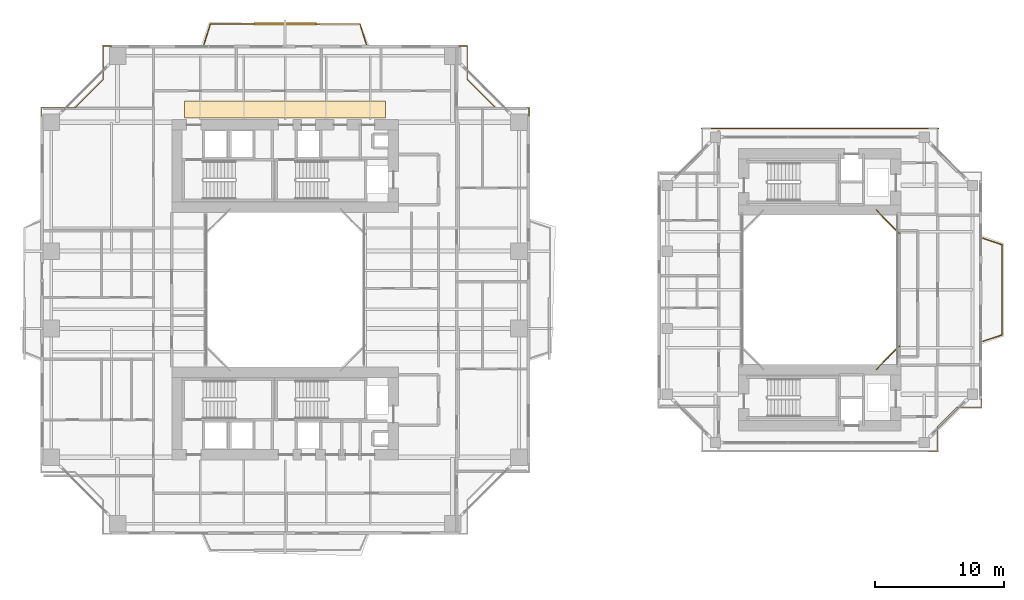
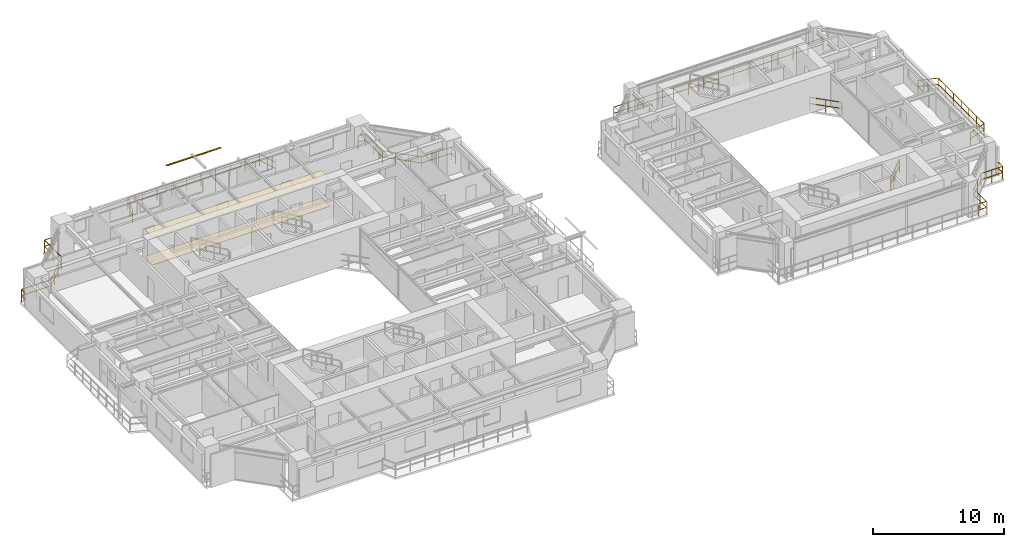
# One storey, part 22 of 23: 8 railings, 2 coverings, 1 shading device.
"""IFC4 building model written with IfcOpenShell, lengths in metres."""

from ifc_helpers import new_model, si_unit, direction, frame, origin, origin_2d, place, context, subcontext, project, spatial, polyline, rectangle, outline, extrude, source, transform, mapped, material, layer, layer_set, material_profile, profile_set, type_object, element, save


model = new_model("IFC4")

# Units and contexts
model_context = context("Model", 3, precision=1e-05, world=origin(), true_north=direction((0.0, 1.0)))
body_context = subcontext(model_context, "Body", "Model", "MODEL_VIEW")
ifc_project = project(units=[si_unit("LENGTHUNIT", "METRE"), si_unit("AREAUNIT", "SQUARE_METRE"), si_unit("VOLUMEUNIT", "CUBIC_METRE"), si_unit("PLANEANGLEUNIT", "RADIAN"), si_unit("MASSUNIT", "GRAM", prefix="KILO"), si_unit("THERMODYNAMICTEMPERATUREUNIT", "KELVIN"), si_unit("POWERUNIT", "WATT")], contexts=[model_context])

# Site, building, storey
site_placement = place(None, origin())
site = spatial("IfcSite", under=ifc_project, at=site_placement, CompositionType="ELEMENT")
building_placement = place(site_placement, origin())
building = spatial("IfcBuilding", under=site, at=building_placement, Name="Qiaomeng Ring Towers", CompositionType="ELEMENT")
storey_placement = place(building_placement, frame((0.0, 0.0, 76.25)))
storey = spatial("IfcBuildingStorey", under=building, at=storey_placement, Name="L21", CompositionType="ELEMENT", Elevation=76.25)

# Coverings
ifc_material_1 = material(Name="Moisture-resistant gypsum ceiling board", Category="gypsum")
ifc_layer_1 = layer(ifc_material_1, 0.030029296875, Name="Moisture-resistant gypsum ceiling board")
ifc_layer_set_1 = layer_set([ifc_layer_1], Name="Moisture-resistant gypsum ceiling board")
covering_type_1 = type_object("IfcCoveringType", Name="ARC-COV-CEIL2", PredefinedType="CEILING", material=ifc_layer_set_1)
covering_1_placement = place(storey_placement, frame((0.0, 0.0, 2.550048828125)))
element("IfcCovering", 1, at=covering_1_placement, inside=storey, type_object=covering_type_1, Name="L21 Corridor Acoustic Ceiling", PredefinedType="CEILING", context=body_context, shape_type="SweptSolid", body=[
    extrude(outline(polyline([(11.199951171875, 36.35009765625), (11.199951171875, 37.64990234375), (26.800048828125, 37.64990234375), (26.800048828125, 36.35009765625), (11.199951171875, 36.35009765625)])), origin(), (0.0, 0.0, 1.0), 0.02490234375),
])
ifc_material_2 = material(Name="Vitrified porcelain floor tile", Category="ceramic")
ifc_layer_2 = layer(ifc_material_2, 0.02001953125, Name="Vitrified porcelain floor tile")
ifc_layer_set_2 = layer_set([ifc_layer_2], Name="Vitrified porcelain floor tile")
covering_type_2 = type_object("IfcCoveringType", Name="ARC-COV-FLR1", PredefinedType="FLOORING", material=ifc_layer_set_2)
covering_2_placement = place(storey_placement, origin())
element("IfcCovering", 2, at=covering_2_placement, inside=storey, type_object=covering_type_2, Name="L21 Corridor Stone Flooring", PredefinedType="FLOORING", context=body_context, shape_type="SweptSolid", body=[
    extrude(outline(polyline([(11.199951171875, 36.35009765625), (11.199951171875, 37.64990234375), (26.800048828125, 37.64990234375), (26.800048828125, 36.35009765625), (11.199951171875, 36.35009765625)])), origin(), (0.0, 0.0, 1.0), 0.02001953125),
])

# Railings
ifc_material_3 = material(Name="Low-E pale-green laminated safety glass", Category="glass")
railing_type = type_object("IfcRailingType", Name="ARC-RL-BAL1", PredefinedType="BALUSTRADE", material=ifc_material_3)
railing_1_placement = place(storey_placement, frame((37.919921875, 36.469970703125, 0.0)))
element("IfcRailing", 3, at=railing_1_placement, inside=storey, type_object=railing_type, Name="L21 Balustrade ARC-BAL-NOTCH1-L21-NE", PredefinedType="BALUSTRADE", context=body_context, shape_type="SweptSolid", body=[
    extrude(rectangle(XDim=0.048095703125, YDim=0.048095703125, at=origin_2d()), frame((0.0, 0.0, 1.17578125), z_axis=(0.0, 1.0, 0.0), x_axis=(-1.0, 0.0, 0.0)), (0.0, 0.0, 1.0), 0.650146484375),
    extrude(rectangle(XDim=0.048095703125, YDim=0.048095703125, at=origin_2d()), frame((0.0, 0.0, 0.60009765625), z_axis=(0.0, 1.0, 0.0), x_axis=(-1.0, 0.0, 0.0)), (0.0, 0.0, 1.0), 0.650146484375),
    extrude(rectangle(XDim=0.048095703125, YDim=0.048095703125, at=origin_2d()), frame((0.0, 0.650146484375, 1.17578125), z_axis=(-1.0, 0.0, 0.0), x_axis=(0.0, -1.0, 0.0)), (0.0, 0.0, 1.0), 2.599853515625),
    extrude(rectangle(XDim=0.048095703125, YDim=0.048095703125, at=origin_2d()), frame((0.0, 0.650146484375, 0.60009765625), z_axis=(-1.0, 0.0, 0.0), x_axis=(0.0, -1.0, 0.0)), (0.0, 0.0, 1.0), 2.599853515625),
    extrude(rectangle(XDim=0.048095703125, YDim=0.048095703125, at=origin_2d()), frame((-2.599853515625, 0.650146484375, 1.17578125), z_axis=(-0.707106781187, 0.707106781187, 0.0), x_axis=(-0.707106781187, -0.707106781187, 0.0)), (0.0, 0.0, 1.0), 3.111083984375),
    extrude(rectangle(XDim=0.048095703125, YDim=0.048095703125, at=origin_2d()), frame((-2.599853515625, 0.650146484375, 0.60009765625), z_axis=(-0.707106781187, 0.707106781187, 0.0), x_axis=(-0.707106781187, -0.707106781187, 0.0)), (0.0, 0.0, 1.0), 3.111083984375),
    extrude(rectangle(XDim=0.048095703125, YDim=0.048095703125, at=origin_2d()), frame((-4.7998046875, 2.85009765625, 1.17578125), z_axis=(0.0, 1.0, 0.0), x_axis=(-1.0, 0.0, 0.0)), (0.0, 0.0, 1.0), 2.599853515625),
    extrude(rectangle(XDim=0.048095703125, YDim=0.048095703125, at=origin_2d()), frame((-4.7998046875, 2.85009765625, 0.60009765625), z_axis=(0.0, 1.0, 0.0), x_axis=(-1.0, 0.0, 0.0)), (0.0, 0.0, 1.0), 2.599853515625),
    extrude(rectangle(XDim=0.048095703125, YDim=0.048095703125, at=origin_2d()), frame((-4.7998046875, 5.449951171875, 1.17578125), z_axis=(-1.0, 0.0, 0.0), x_axis=(0.0, -1.0, 0.0)), (0.0, 0.0, 1.0), 0.650146484375),
    extrude(rectangle(XDim=0.048095703125, YDim=0.048095703125, at=origin_2d()), frame((-4.7998046875, 5.449951171875, 0.60009765625), z_axis=(-1.0, 0.0, 0.0), x_axis=(0.0, -1.0, 0.0)), (0.0, 0.0, 1.0), 0.650146484375),
    extrude(rectangle(XDim=0.0419921875, YDim=0.0419921875, at=origin_2d()), origin(), (0.0, 0.0, 1.0), 1.15185546875),
    extrude(rectangle(XDim=0.0419921875, YDim=0.0419921875, at=origin_2d()), frame((0.0, 0.650146484375, 0.0)), (0.0, 0.0, 1.0), 1.15185546875),
    extrude(rectangle(XDim=0.0419921875, YDim=0.0419921875, at=origin_2d()), frame((-1.2998046875, 0.650146484375, 0.0)), (0.0, 0.0, 1.0), 1.15185546875),
    extrude(rectangle(XDim=0.0419921875, YDim=0.0419921875, at=origin_2d()), frame((-2.599853515625, 0.650146484375, 0.0)), (0.0, 0.0, 1.0), 1.15185546875),
    extrude(rectangle(XDim=0.0419921875, YDim=0.0419921875, at=origin_2d()), frame((-3.333251953125, 1.383544921875, 0.0)), (0.0, 0.0, 1.0), 1.15185546875),
    extrude(rectangle(XDim=0.0419921875, YDim=0.0419921875, at=origin_2d()), frame((-4.06640625, 2.11669921875, 0.0)), (0.0, 0.0, 1.0), 1.15185546875),
    extrude(rectangle(XDim=0.0419921875, YDim=0.0419921875, at=origin_2d()), frame((-4.7998046875, 2.85009765625, 0.0)), (0.0, 0.0, 1.0), 1.15185546875),
    extrude(rectangle(XDim=0.0419921875, YDim=0.0419921875, at=origin_2d()), frame((-4.7998046875, 4.14990234375, 0.0)), (0.0, 0.0, 1.0), 1.15185546875),
    extrude(rectangle(XDim=0.0419921875, YDim=0.0419921875, at=origin_2d()), frame((-4.7998046875, 5.449951171875, 0.0)), (0.0, 0.0, 1.0), 1.15185546875),
    extrude(rectangle(XDim=0.0419921875, YDim=0.0419921875, at=origin_2d()), frame((-5.449951171875, 5.449951171875, 0.0)), (0.0, 0.0, 1.0), 1.15185546875),
])
railing_2_placement = place(storey_placement, frame((5.530029296875, 41.919921875, 0.0)))
element("IfcRailing", 4, at=railing_2_placement, inside=storey, type_object=railing_type, Name="L21 Balustrade ARC-BAL-NOTCH1-L21-NW", PredefinedType="BALUSTRADE", context=body_context, shape_type="SweptSolid", body=[
    extrude(rectangle(XDim=0.048095703125, YDim=0.048095703125, at=origin_2d()), frame((0.0, 0.0, 1.17578125), z_axis=(-1.0, 0.0, 0.0), x_axis=(0.0, -1.0, 0.0)), (0.0, 0.0, 1.0), 0.650146484375),
    extrude(rectangle(XDim=0.048095703125, YDim=0.048095703125, at=origin_2d()), frame((0.0, 0.0, 0.60009765625), z_axis=(-1.0, 0.0, 0.0), x_axis=(0.0, -1.0, 0.0)), (0.0, 0.0, 1.0), 0.650146484375),
    extrude(rectangle(XDim=0.048095703125, YDim=0.048095703125, at=origin_2d()), frame((-0.650146484375, 0.0, 1.17578125), z_axis=(0.0, -1.0, 0.0), x_axis=(1.0, 0.0, 0.0)), (0.0, 0.0, 1.0), 2.599853515625),
    extrude(rectangle(XDim=0.048095703125, YDim=0.048095703125, at=origin_2d()), frame((-0.650146484375, 0.0, 0.60009765625), z_axis=(0.0, -1.0, 0.0), x_axis=(1.0, 0.0, 0.0)), (0.0, 0.0, 1.0), 2.599853515625),
    extrude(rectangle(XDim=0.048095703125, YDim=0.048095703125, at=origin_2d()), frame((-0.650146484375, -2.599853515625, 1.17578125), z_axis=(-0.707106781187, -0.707106781187, 0.0), x_axis=(0.707106781187, -0.707106781187, 0.0)), (0.0, 0.0, 1.0), 3.111083984375),
    extrude(rectangle(XDim=0.048095703125, YDim=0.048095703125, at=origin_2d()), frame((-0.650146484375, -2.599853515625, 0.60009765625), z_axis=(-0.707106781187, -0.707106781187, 0.0), x_axis=(0.707106781187, -0.707106781187, 0.0)), (0.0, 0.0, 1.0), 3.111083984375),
    extrude(rectangle(XDim=0.048095703125, YDim=0.048095703125, at=origin_2d()), frame((-2.85009765625, -4.7998046875, 1.17578125), z_axis=(-1.0, 0.0, 0.0), x_axis=(0.0, -1.0, 0.0)), (0.0, 0.0, 1.0), 2.599853515625),
    extrude(rectangle(XDim=0.048095703125, YDim=0.048095703125, at=origin_2d()), frame((-2.85009765625, -4.7998046875, 0.60009765625), z_axis=(-1.0, 0.0, 0.0), x_axis=(0.0, -1.0, 0.0)), (0.0, 0.0, 1.0), 2.599853515625),
    extrude(rectangle(XDim=0.048095703125, YDim=0.048095703125, at=origin_2d()), frame((-5.449951171875, -4.7998046875, 1.17578125), z_axis=(0.0, -1.0, 0.0), x_axis=(1.0, 0.0, 0.0)), (0.0, 0.0, 1.0), 0.650146484375),
    extrude(rectangle(XDim=0.048095703125, YDim=0.048095703125, at=origin_2d()), frame((-5.449951171875, -4.7998046875, 0.60009765625), z_axis=(0.0, -1.0, 0.0), x_axis=(1.0, 0.0, 0.0)), (0.0, 0.0, 1.0), 0.650146484375),
    extrude(rectangle(XDim=0.0419921875, YDim=0.0419921875, at=origin_2d()), origin(), (0.0, 0.0, 1.0), 1.15185546875),
    extrude(rectangle(XDim=0.0419921875, YDim=0.0419921875, at=origin_2d()), frame((-0.650146484375, 0.0, 0.0)), (0.0, 0.0, 1.0), 1.15185546875),
    extrude(rectangle(XDim=0.0419921875, YDim=0.0419921875, at=origin_2d()), frame((-0.650146484375, -1.2998046875, 0.0)), (0.0, 0.0, 1.0), 1.15185546875),
    extrude(rectangle(XDim=0.0419921875, YDim=0.0419921875, at=origin_2d()), frame((-0.650146484375, -2.599853515625, 0.0)), (0.0, 0.0, 1.0), 1.15185546875),
    extrude(rectangle(XDim=0.0419921875, YDim=0.0419921875, at=origin_2d()), frame((-1.383544921875, -3.333251953125, 0.0)), (0.0, 0.0, 1.0), 1.15185546875),
    extrude(rectangle(XDim=0.0419921875, YDim=0.0419921875, at=origin_2d()), frame((-2.11669921875, -4.06640625, 0.0)), (0.0, 0.0, 1.0), 1.15185546875),
    extrude(rectangle(XDim=0.0419921875, YDim=0.0419921875, at=origin_2d()), frame((-2.85009765625, -4.7998046875, 0.0)), (0.0, 0.0, 1.0), 1.15185546875),
    extrude(rectangle(XDim=0.0419921875, YDim=0.0419921875, at=origin_2d()), frame((-4.14990234375, -4.7998046875, 0.0)), (0.0, 0.0, 1.0), 1.15185546875),
    extrude(rectangle(XDim=0.0419921875, YDim=0.0419921875, at=origin_2d()), frame((-5.449951171875, -4.7998046875, 0.0)), (0.0, 0.0, 1.0), 1.15185546875),
    extrude(rectangle(XDim=0.0419921875, YDim=0.0419921875, at=origin_2d()), frame((-5.449951171875, -5.449951171875, 0.0)), (0.0, 0.0, 1.0), 1.15185546875),
])
railing_3_placement = place(storey_placement, frame((12.699951171875, 42.050048828125, 0.0)))
element("IfcRailing", 5, at=railing_3_placement, inside=storey, type_object=railing_type, Name="L21 Balustrade ARC-BAL-L21-T1-N", PredefinedType="BALUSTRADE", context=body_context, shape_type="SweptSolid", body=[
    extrude(rectangle(XDim=0.048095703125, YDim=0.048095703125, at=origin_2d()), frame((0.0, 0.0, 1.17578125), z_axis=(0.300009430376, 0.95393623565, 0.0), x_axis=(-0.95393623565, 0.300009430376, 0.0)), (0.0, 0.0, 1.0), 1.66650390625),
    extrude(rectangle(XDim=0.048095703125, YDim=0.048095703125, at=origin_2d()), frame((0.0, 0.0, 0.60009765625), z_axis=(0.300009430376, 0.95393623565, 0.0), x_axis=(-0.95393623565, 0.300009430376, 0.0)), (0.0, 0.0, 1.0), 1.66650390625),
    extrude(rectangle(XDim=0.048095703125, YDim=0.048095703125, at=origin_2d()), frame((0.5, 1.58984375, 1.17578125), z_axis=(1.0, 0.0, 0.0), x_axis=(0.0, 1.0, 0.0)), (0.0, 0.0, 1.0), 11.60009765625),
    extrude(rectangle(XDim=0.048095703125, YDim=0.048095703125, at=origin_2d()), frame((0.5, 1.58984375, 0.60009765625), z_axis=(1.0, 0.0, 0.0), x_axis=(0.0, 1.0, 0.0)), (0.0, 0.0, 1.0), 11.60009765625),
    extrude(rectangle(XDim=0.048095703125, YDim=0.048095703125, at=origin_2d()), frame((12.10009765625, 1.58984375, 1.17578125), z_axis=(0.300009430376, -0.95393623565, 0.0), x_axis=(0.95393623565, 0.300009430376, 0.0)), (0.0, 0.0, 1.0), 1.66650390625),
    extrude(rectangle(XDim=0.048095703125, YDim=0.048095703125, at=origin_2d()), frame((12.10009765625, 1.58984375, 0.60009765625), z_axis=(0.300009430376, -0.95393623565, 0.0), x_axis=(0.95393623565, 0.300009430376, 0.0)), (0.0, 0.0, 1.0), 1.66650390625),
    extrude(rectangle(XDim=0.0419921875, YDim=0.0419921875, at=origin_2d()), origin(), (0.0, 0.0, 1.0), 1.15185546875),
    extrude(rectangle(XDim=0.0419921875, YDim=0.0419921875, at=origin_2d()), frame((0.25, 0.794921875, 0.0)), (0.0, 0.0, 1.0), 1.15185546875),
    extrude(rectangle(XDim=0.0419921875, YDim=0.0419921875, at=origin_2d()), frame((0.5, 1.58984375, 0.0)), (0.0, 0.0, 1.0), 1.15185546875),
    extrude(rectangle(XDim=0.0419921875, YDim=0.0419921875, at=origin_2d()), frame((1.788818359375, 1.58984375, 0.0)), (0.0, 0.0, 1.0), 1.15185546875),
    extrude(rectangle(XDim=0.0419921875, YDim=0.0419921875, at=origin_2d()), frame((3.077880859375, 1.58984375, 0.0)), (0.0, 0.0, 1.0), 1.15185546875),
    extrude(rectangle(XDim=0.0419921875, YDim=0.0419921875, at=origin_2d()), frame((4.36669921875, 1.58984375, 0.0)), (0.0, 0.0, 1.0), 1.15185546875),
    extrude(rectangle(XDim=0.0419921875, YDim=0.0419921875, at=origin_2d()), frame((5.655517578125, 1.58984375, 0.0)), (0.0, 0.0, 1.0), 1.15185546875),
    extrude(rectangle(XDim=0.0419921875, YDim=0.0419921875, at=origin_2d()), frame((6.944580078125, 1.58984375, 0.0)), (0.0, 0.0, 1.0), 1.15185546875),
    extrude(rectangle(XDim=0.0419921875, YDim=0.0419921875, at=origin_2d()), frame((8.2333984375, 1.58984375, 0.0)), (0.0, 0.0, 1.0), 1.15185546875),
    extrude(rectangle(XDim=0.0419921875, YDim=0.0419921875, at=origin_2d()), frame((9.522216796875, 1.58984375, 0.0)), (0.0, 0.0, 1.0), 1.15185546875),
    extrude(rectangle(XDim=0.0419921875, YDim=0.0419921875, at=origin_2d()), frame((10.811279296875, 1.58984375, 0.0)), (0.0, 0.0, 1.0), 1.15185546875),
    extrude(rectangle(XDim=0.0419921875, YDim=0.0419921875, at=origin_2d()), frame((12.10009765625, 1.58984375, 0.0)), (0.0, 0.0, 1.0), 1.15185546875),
    extrude(rectangle(XDim=0.0419921875, YDim=0.0419921875, at=origin_2d()), frame((12.35009765625, 0.794921875, 0.0)), (0.0, 0.0, 1.0), 1.15185546875),
    extrude(rectangle(XDim=0.0419921875, YDim=0.0419921875, at=origin_2d()), frame((12.60009765625, 0.0, 0.0)), (0.0, 0.0, 1.0), 1.15185546875),
])
railing_4_placement = place(storey_placement, frame((64.8798828125, 16.820068359375, 0.0)))
element("IfcRailing", 6, at=railing_4_placement, inside=storey, type_object=railing_type, Name="L21 Balustrade ARC-BAL-WELL2-L21-1", PredefinedType="BALUSTRADE", context=body_context, shape_type="SweptSolid", body=[
    extrude(rectangle(XDim=0.048095703125, YDim=0.048095703125, at=origin_2d()), frame((0.0, 0.0, 1.17578125), z_axis=(0.707106781187, 0.707106781187, 0.0), x_axis=(-0.707106781187, 0.707106781187, 0.0)), (0.0, 0.0, 1.0), 2.545654296875),
    extrude(rectangle(XDim=0.048095703125, YDim=0.048095703125, at=origin_2d()), frame((0.0, 0.0, 0.60009765625), z_axis=(0.707106781187, 0.707106781187, 0.0), x_axis=(-0.707106781187, 0.707106781187, 0.0)), (0.0, 0.0, 1.0), 2.545654296875),
    extrude(rectangle(XDim=0.0419921875, YDim=0.0419921875, at=origin_2d()), origin(), (0.0, 0.0, 1.0), 1.15185546875),
    extrude(rectangle(XDim=0.0419921875, YDim=0.0419921875, at=origin_2d()), frame((0.89990234375, 0.89990234375, 0.0)), (0.0, 0.0, 1.0), 1.15185546875),
    extrude(rectangle(XDim=0.0419921875, YDim=0.0419921875, at=origin_2d()), frame((1.800048828125, 1.800048828125, 0.0)), (0.0, 0.0, 1.0), 1.15185546875),
])
railing_5_placement = place(storey_placement, frame((66.679931640625, 27.3798828125, 0.0)))
element("IfcRailing", 7, at=railing_5_placement, inside=storey, type_object=railing_type, Name="L21 Balustrade ARC-BAL-WELL2-L21-2", PredefinedType="BALUSTRADE", context=body_context, shape_type="SweptSolid", body=[
    extrude(rectangle(XDim=0.048095703125, YDim=0.048095703125, at=origin_2d()), frame((0.0, 0.0, 1.17578125), z_axis=(-0.707106781187, 0.707106781187, 0.0), x_axis=(-0.707106781187, -0.707106781187, 0.0)), (0.0, 0.0, 1.0), 2.545654296875),
    extrude(rectangle(XDim=0.048095703125, YDim=0.048095703125, at=origin_2d()), frame((0.0, 0.0, 0.60009765625), z_axis=(-0.707106781187, 0.707106781187, 0.0), x_axis=(-0.707106781187, -0.707106781187, 0.0)), (0.0, 0.0, 1.0), 2.545654296875),
    extrude(rectangle(XDim=0.0419921875, YDim=0.0419921875, at=origin_2d()), origin(), (0.0, 0.0, 1.0), 1.15185546875),
    extrude(rectangle(XDim=0.0419921875, YDim=0.0419921875, at=origin_2d()), frame((-0.89990234375, 0.89990234375, 0.0)), (0.0, 0.0, 1.0), 1.15185546875),
    extrude(rectangle(XDim=0.0419921875, YDim=0.0419921875, at=origin_2d()), frame((-1.800048828125, 1.800048828125, 0.0)), (0.0, 0.0, 1.0), 1.15185546875),
])
railing_6_placement = place(storey_placement, frame((68.969970703125, 10.47998046875, 0.0)))
element("IfcRailing", 8, at=railing_6_placement, inside=storey, type_object=railing_type, Name="L21 Balustrade ARC-BAL-NOTCH2-L21-SE", PredefinedType="BALUSTRADE", context=body_context, shape_type="SweptSolid", body=[
    extrude(rectangle(XDim=0.048095703125, YDim=0.048095703125, at=origin_2d()), frame((0.0, 0.0, 1.17578125), z_axis=(1.0, 0.0, 0.0), x_axis=(0.0, 1.0, 0.0)), (0.0, 0.0, 1.0), 0.650146484375),
    extrude(rectangle(XDim=0.048095703125, YDim=0.048095703125, at=origin_2d()), frame((0.0, 0.0, 0.60009765625), z_axis=(1.0, 0.0, 0.0), x_axis=(0.0, 1.0, 0.0)), (0.0, 0.0, 1.0), 0.650146484375),
    extrude(rectangle(XDim=0.048095703125, YDim=0.048095703125, at=origin_2d()), frame((0.650146484375, 0.0, 1.17578125), z_axis=(0.0, 1.0, 0.0), x_axis=(-1.0, 0.0, 0.0)), (0.0, 0.0, 1.0), 1.89990234375),
    extrude(rectangle(XDim=0.048095703125, YDim=0.048095703125, at=origin_2d()), frame((0.650146484375, 0.0, 0.60009765625), z_axis=(0.0, 1.0, 0.0), x_axis=(-1.0, 0.0, 0.0)), (0.0, 0.0, 1.0), 1.89990234375),
    extrude(rectangle(XDim=0.048095703125, YDim=0.048095703125, at=origin_2d()), frame((0.650146484375, 1.89990234375, 1.17578125), z_axis=(0.707106781187, 0.707106781187, 0.0), x_axis=(-0.707106781187, 0.707106781187, 0.0)), (0.0, 0.0, 1.0), 2.121337890625),
    extrude(rectangle(XDim=0.048095703125, YDim=0.048095703125, at=origin_2d()), frame((0.650146484375, 1.89990234375, 0.60009765625), z_axis=(0.707106781187, 0.707106781187, 0.0), x_axis=(-0.707106781187, 0.707106781187, 0.0)), (0.0, 0.0, 1.0), 2.121337890625),
    extrude(rectangle(XDim=0.048095703125, YDim=0.048095703125, at=origin_2d()), frame((2.150146484375, 3.39990234375, 1.17578125), z_axis=(1.0, 0.0, 0.0), x_axis=(0.0, 1.0, 0.0)), (0.0, 0.0, 1.0), 1.89990234375),
    extrude(rectangle(XDim=0.048095703125, YDim=0.048095703125, at=origin_2d()), frame((2.150146484375, 3.39990234375, 0.60009765625), z_axis=(1.0, 0.0, 0.0), x_axis=(0.0, 1.0, 0.0)), (0.0, 0.0, 1.0), 1.89990234375),
    extrude(rectangle(XDim=0.048095703125, YDim=0.048095703125, at=origin_2d()), frame((4.050048828125, 3.39990234375, 1.17578125), z_axis=(0.0, 1.0, 0.0), x_axis=(-1.0, 0.0, 0.0)), (0.0, 0.0, 1.0), 0.650146484375),
    extrude(rectangle(XDim=0.048095703125, YDim=0.048095703125, at=origin_2d()), frame((4.050048828125, 3.39990234375, 0.60009765625), z_axis=(0.0, 1.0, 0.0), x_axis=(-1.0, 0.0, 0.0)), (0.0, 0.0, 1.0), 0.650146484375),
    extrude(rectangle(XDim=0.0419921875, YDim=0.0419921875, at=origin_2d()), origin(), (0.0, 0.0, 1.0), 1.15185546875),
    extrude(rectangle(XDim=0.0419921875, YDim=0.0419921875, at=origin_2d()), frame((0.650146484375, 0.0, 0.0)), (0.0, 0.0, 1.0), 1.15185546875),
    extrude(rectangle(XDim=0.0419921875, YDim=0.0419921875, at=origin_2d()), frame((0.650146484375, 0.949951171875, 0.0)), (0.0, 0.0, 1.0), 1.15185546875),
    extrude(rectangle(XDim=0.0419921875, YDim=0.0419921875, at=origin_2d()), frame((0.650146484375, 1.89990234375, 0.0)), (0.0, 0.0, 1.0), 1.15185546875),
    extrude(rectangle(XDim=0.0419921875, YDim=0.0419921875, at=origin_2d()), frame((1.400146484375, 2.64990234375, 0.0)), (0.0, 0.0, 1.0), 1.15185546875),
    extrude(rectangle(XDim=0.0419921875, YDim=0.0419921875, at=origin_2d()), frame((2.150146484375, 3.39990234375, 0.0)), (0.0, 0.0, 1.0), 1.15185546875),
    extrude(rectangle(XDim=0.0419921875, YDim=0.0419921875, at=origin_2d()), frame((3.10009765625, 3.39990234375, 0.0)), (0.0, 0.0, 1.0), 1.15185546875),
    extrude(rectangle(XDim=0.0419921875, YDim=0.0419921875, at=origin_2d()), frame((4.050048828125, 3.39990234375, 0.0)), (0.0, 0.0, 1.0), 1.15185546875),
    extrude(rectangle(XDim=0.0419921875, YDim=0.0419921875, at=origin_2d()), frame((4.050048828125, 4.050048828125, 0.0)), (0.0, 0.0, 1.0), 1.15185546875),
])
railing_7_placement = place(storey_placement, frame((51.300048828125, 35.52001953125, 0.0)))
element("IfcRailing", 9, at=railing_7_placement, inside=storey, type_object=railing_type, Name="L21 Balustrade ARC-BAL-T2N-L21", PredefinedType="BALUSTRADE", context=body_context, shape_type="SweptSolid", body=[
    extrude(rectangle(XDim=0.048095703125, YDim=0.048095703125, at=origin_2d()), frame((0.0, 0.0, 1.17578125), z_axis=(1.0, 0.0, 0.0), x_axis=(0.0, 1.0, 0.0)), (0.0, 0.0, 1.0), 18.39990234375),
    extrude(rectangle(XDim=0.048095703125, YDim=0.048095703125, at=origin_2d()), frame((0.0, 0.0, 0.60009765625), z_axis=(1.0, 0.0, 0.0), x_axis=(0.0, 1.0, 0.0)), (0.0, 0.0, 1.0), 18.39990234375),
    extrude(rectangle(XDim=0.0419921875, YDim=0.0419921875, at=origin_2d()), origin(), (0.0, 0.0, 1.0), 1.15185546875),
    extrude(rectangle(XDim=0.0419921875, YDim=0.0419921875, at=origin_2d()), frame((1.314208984375, 0.0, 0.0)), (0.0, 0.0, 1.0), 1.15185546875),
    extrude(rectangle(XDim=0.0419921875, YDim=0.0419921875, at=origin_2d()), frame((2.628662109375, 0.0, 0.0)), (0.0, 0.0, 1.0), 1.15185546875),
    extrude(rectangle(XDim=0.0419921875, YDim=0.0419921875, at=origin_2d()), frame((3.94287109375, 0.0, 0.0)), (0.0, 0.0, 1.0), 1.15185546875),
    extrude(rectangle(XDim=0.0419921875, YDim=0.0419921875, at=origin_2d()), frame((5.257080078125, 0.0, 0.0)), (0.0, 0.0, 1.0), 1.15185546875),
    extrude(rectangle(XDim=0.0419921875, YDim=0.0419921875, at=origin_2d()), frame((6.5712890625, 0.0, 0.0)), (0.0, 0.0, 1.0), 1.15185546875),
    extrude(rectangle(XDim=0.0419921875, YDim=0.0419921875, at=origin_2d()), frame((7.8857421875, 0.0, 0.0)), (0.0, 0.0, 1.0), 1.15185546875),
    extrude(rectangle(XDim=0.0419921875, YDim=0.0419921875, at=origin_2d()), frame((9.199951171875, 0.0, 0.0)), (0.0, 0.0, 1.0), 1.15185546875),
    extrude(rectangle(XDim=0.0419921875, YDim=0.0419921875, at=origin_2d()), frame((10.51416015625, 0.0, 0.0)), (0.0, 0.0, 1.0), 1.15185546875),
    extrude(rectangle(XDim=0.0419921875, YDim=0.0419921875, at=origin_2d()), frame((11.82861328125, 0.0, 0.0)), (0.0, 0.0, 1.0), 1.15185546875),
    extrude(rectangle(XDim=0.0419921875, YDim=0.0419921875, at=origin_2d()), frame((13.142822265625, 0.0, 0.0)), (0.0, 0.0, 1.0), 1.15185546875),
    extrude(rectangle(XDim=0.0419921875, YDim=0.0419921875, at=origin_2d()), frame((14.45703125, 0.0, 0.0)), (0.0, 0.0, 1.0), 1.15185546875),
    extrude(rectangle(XDim=0.0419921875, YDim=0.0419921875, at=origin_2d()), frame((15.771240234375, 0.0, 0.0)), (0.0, 0.0, 1.0), 1.15185546875),
    extrude(rectangle(XDim=0.0419921875, YDim=0.0419921875, at=origin_2d()), frame((17.085693359375, 0.0, 0.0)), (0.0, 0.0, 1.0), 1.15185546875),
    extrude(rectangle(XDim=0.0419921875, YDim=0.0419921875, at=origin_2d()), frame((18.39990234375, 0.0, 0.0)), (0.0, 0.0, 1.0), 1.15185546875),
])
railing_8_placement = place(storey_placement, frame((73.14990234375, 19.0, 0.0)))
element("IfcRailing", 10, at=railing_8_placement, inside=storey, type_object=railing_type, Name="L21 Balustrade ARC-BAL-L21-T2-E", PredefinedType="BALUSTRADE", context=body_context, shape_type="SweptSolid", body=[
    extrude(rectangle(XDim=0.048095703125, YDim=0.048095703125, at=origin_2d()), frame((0.0, 0.0, 1.17578125), z_axis=(0.948044476945, 0.318137815629, 0.0), x_axis=(-0.318137815629, 0.948044476945, 0.0)), (0.0, 0.0, 1.0), 1.571533203125),
    extrude(rectangle(XDim=0.048095703125, YDim=0.048095703125, at=origin_2d()), frame((0.0, 0.0, 0.60009765625), z_axis=(0.948044476945, 0.318137815629, 0.0), x_axis=(-0.318137815629, 0.948044476945, 0.0)), (0.0, 0.0, 1.0), 1.571533203125),
    extrude(rectangle(XDim=0.048095703125, YDim=0.048095703125, at=origin_2d()), frame((1.489990234375, 0.5, 1.17578125), z_axis=(0.0, 1.0, 0.0), x_axis=(-1.0, 0.0, 0.0)), (0.0, 0.0, 1.0), 7.0),
    extrude(rectangle(XDim=0.048095703125, YDim=0.048095703125, at=origin_2d()), frame((1.489990234375, 0.5, 0.60009765625), z_axis=(0.0, 1.0, 0.0), x_axis=(-1.0, 0.0, 0.0)), (0.0, 0.0, 1.0), 7.0),
    extrude(rectangle(XDim=0.048095703125, YDim=0.048095703125, at=origin_2d()), frame((1.489990234375, 7.5, 1.17578125), z_axis=(-0.948044476945, 0.318137815629, 0.0), x_axis=(-0.318137815629, -0.948044476945, 0.0)), (0.0, 0.0, 1.0), 1.571533203125),
    extrude(rectangle(XDim=0.048095703125, YDim=0.048095703125, at=origin_2d()), frame((1.489990234375, 7.5, 0.60009765625), z_axis=(-0.948044476945, 0.318137815629, 0.0), x_axis=(-0.318137815629, -0.948044476945, 0.0)), (0.0, 0.0, 1.0), 1.571533203125),
    extrude(rectangle(XDim=0.0419921875, YDim=0.0419921875, at=origin_2d()), origin(), (0.0, 0.0, 1.0), 1.15185546875),
    extrude(rectangle(XDim=0.0419921875, YDim=0.0419921875, at=origin_2d()), frame((0.7451171875, 0.25, 0.0)), (0.0, 0.0, 1.0), 1.15185546875),
    extrude(rectangle(XDim=0.0419921875, YDim=0.0419921875, at=origin_2d()), frame((1.489990234375, 0.5, 0.0)), (0.0, 0.0, 1.0), 1.15185546875),
    extrude(rectangle(XDim=0.0419921875, YDim=0.0419921875, at=origin_2d()), frame((1.489990234375, 1.666748046875, 0.0)), (0.0, 0.0, 1.0), 1.15185546875),
    extrude(rectangle(XDim=0.0419921875, YDim=0.0419921875, at=origin_2d()), frame((1.489990234375, 2.833251953125, 0.0)), (0.0, 0.0, 1.0), 1.15185546875),
    extrude(rectangle(XDim=0.0419921875, YDim=0.0419921875, at=origin_2d()), frame((1.489990234375, 4.0, 0.0)), (0.0, 0.0, 1.0), 1.15185546875),
    extrude(rectangle(XDim=0.0419921875, YDim=0.0419921875, at=origin_2d()), frame((1.489990234375, 5.166748046875, 0.0)), (0.0, 0.0, 1.0), 1.15185546875),
    extrude(rectangle(XDim=0.0419921875, YDim=0.0419921875, at=origin_2d()), frame((1.489990234375, 6.333251953125, 0.0)), (0.0, 0.0, 1.0), 1.15185546875),
    extrude(rectangle(XDim=0.0419921875, YDim=0.0419921875, at=origin_2d()), frame((1.489990234375, 7.5, 0.0)), (0.0, 0.0, 1.0), 1.15185546875),
    extrude(rectangle(XDim=0.0419921875, YDim=0.0419921875, at=origin_2d()), frame((0.7451171875, 7.75, 0.0)), (0.0, 0.0, 1.0), 1.15185546875),
    extrude(rectangle(XDim=0.0419921875, YDim=0.0419921875, at=origin_2d()), frame((0.0, 8.0, 0.0)), (0.0, 0.0, 1.0), 1.15185546875),
])

# Shading device
ifc_material_4 = material(Name="Fluorocarbon dark-grey aluminium", Category="aluminium")
ifc_material_profile = material_profile(ifc_material_4, rectangle(XDim=0.14990234375, YDim=0.034912109375, at=origin_2d()), Name="LV BLADE 150x35")
ifc_profile_set = profile_set([ifc_material_profile], Name="Fluorocarbon dark-grey aluminium")
shading_device_type = type_object("IfcShadingDeviceType", Name="ARC-SHD-SUN", PredefinedType="AWNING", material=ifc_profile_set)
shared_shape = source(origin(), body_context, "Body", "SweptSolid", [
    extrude(rectangle(XDim=0.14990234375, YDim=0.034912109375, at=origin_2d()), origin(), (0.0, 0.0, 1.0), 4.7998046875),
])
shading_device_placement = place(storey_placement, frame((16.60009765625, 43.639892578125, 2.969970703125), z_axis=(1.0, 0.0, 0.0), x_axis=(0.0, 1.0, 0.0)))
element("IfcShadingDevice", 11, at=shading_device_placement, inside=storey, type_object=shading_device_type, Name="L21 Ventilated Outer-Skin Sunshade N", PredefinedType="AWNING", context=body_context, shape_type="MappedRepresentation", body=[
    mapped(shared_shape, transform((0.0, 0.0, 0.0), x_axis=(1.0, 0.0, 0.0), y_axis=(0.0, 1.0, 0.0), z_axis=(0.0, 0.0, 1.0), scale=1.0)),
])

save(model, "model.ifc")
